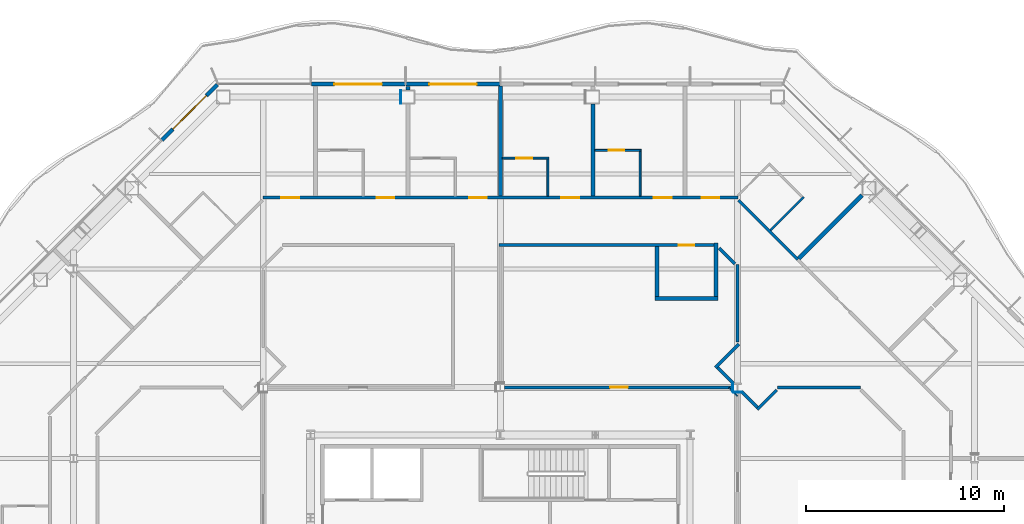
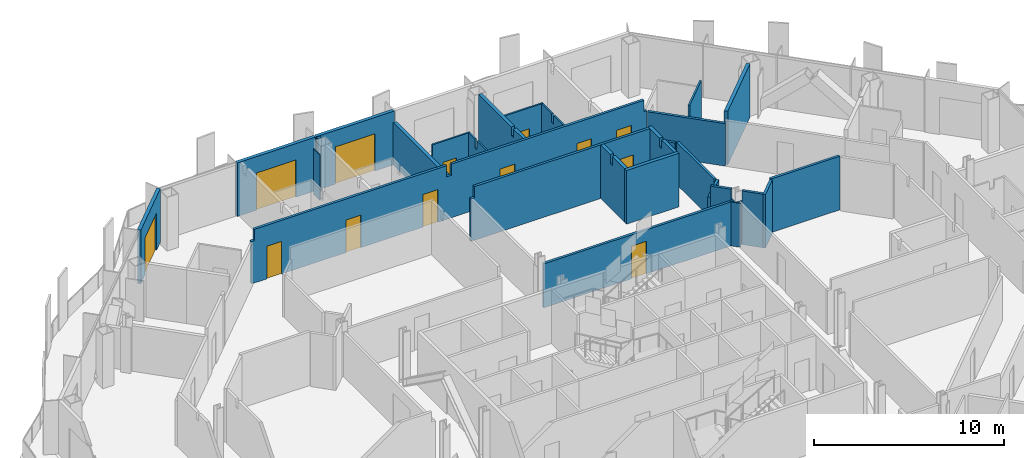
# One storey, part 13 of 21: 30 walls, 13 doors, 13 openings.
"""IFC4 building model written with IfcOpenShell, lengths in metres."""

from ifc_helpers import new_model, si_unit, direction, frame, frame_2d, origin, place, context, subcontext, project, spatial, polyline, rectangle, outline, extrude, material, layer, layer_set, type_object, element, fill, save


model = new_model("IFC4")

# Units and contexts
model_context = context("Model", 3, precision=1e-05, world=origin(), true_north=direction((0.0, 1.0)))
body_context = subcontext(model_context, "Body", "Model", "MODEL_VIEW")
ifc_project = project(units=[si_unit("LENGTHUNIT", "METRE"), si_unit("AREAUNIT", "SQUARE_METRE"), si_unit("VOLUMEUNIT", "CUBIC_METRE"), si_unit("PLANEANGLEUNIT", "RADIAN"), si_unit("MASSUNIT", "GRAM", prefix="KILO")], contexts=[model_context])

# Site, building, storey
site_placement = place(None, origin())
site = spatial("IfcSite", under=ifc_project, at=site_placement, CompositionType="ELEMENT")
building_placement = place(site_placement, origin())
building = spatial("IfcBuilding", under=site, at=building_placement, Name="Cairn Pilgrim Tower", CompositionType="ELEMENT")
storey_placement = place(building_placement, frame((0.0, 0.0, 139.800048828125)))
storey = spatial("IfcBuildingStorey", under=building, at=storey_placement, Name="L34", CompositionType="ELEMENT", Elevation=139.800048828125)

# Wall, opening, door
ifc_material_1 = material(Name="Bronze anodised aluminium insulated sandwich panel with mineral wool fill", Category="aluminium")
ifc_layer_1 = layer(ifc_material_1, 0.199951171875)
ifc_layer_set_1 = layer_set([ifc_layer_1], Name="BRONZE INFILL FRAME WALL 200")
wall_type_1 = type_object("IfcWallType", Name="BRONZE INFILL FRAME WALL 200", PredefinedType="NOTDEFINED", material=ifc_layer_set_1)
wall_1_placement = place(storey_placement, frame((7.169921875, 28.550048828125, 0.0), z_axis=(0.0, 0.0, 1.0), x_axis=(-1.0, 0.0, 0.0)))
wall_1 = element("IfcWall", 1, at=wall_1_placement, inside=storey, type_object=wall_type_1, Name="Bronze infill frame wall IW-N4", PredefinedType="NOTDEFINED", context=body_context, shape_type="SweptSolid", body=[
    extrude(rectangle(XDim=4.739990234375, YDim=0.199951171875, at=frame_2d((2.3701171875, 0.0))), origin(), (0.0, 0.0, 1.0), 3.449951171875),
])
opening_1_placement = place(wall_1_placement, frame((1.169921875, 0.0, 0.0)))
opening_1 = element("IfcOpeningElement", 2, at=opening_1_placement, cuts=wall_1, Name="Opening 3413B", PredefinedType="OPENING", context=body_context, shape_type="SweptSolid", body=[
    extrude(rectangle(XDim=2.39990234375, YDim=2.39990234375, at=frame_2d((1.199951171875, 1.199951171875))), frame((0.0, 0.10986328125, 0.0), z_axis=(0.0, -1.0, 0.0), x_axis=(1.0, 0.0, 0.0)), (0.0, 0.0, 1.0), 0.219970703125),
])
ifc_material_2 = material(Name="Bronze anodised aluminium frame with tinted low-E glass", Category="aluminium")
door_type_1 = type_object("IfcDoorType", Name="BALCONY SLIDING DOOR 2400x2400", OperationType="DOUBLE_DOOR_SLIDING", PredefinedType="DOOR", material=ifc_material_2)
door_1_placement = place(opening_1_placement, origin())
door_1 = element("IfcDoor", 3, at=door_1_placement, inside=storey, type_object=door_type_1, Name="Balcony sliding door 3413B", OperationType="SINGLE_SWING_LEFT", OverallHeight=2.39990234375, OverallWidth=2.39990234375, PredefinedType="DOOR", context=body_context, shape_type="SweptSolid", body=[
    extrude(rectangle(XDim=2.39990234375, YDim=2.39990234375, at=frame_2d((1.199951171875, 1.199951171875))), frame((0.0, 0.02490234375, 0.0), z_axis=(0.0, -1.0, 0.0), x_axis=(1.0, 0.0, 0.0)), (0.0, 0.0, 1.0), 0.050048828125),
])
fill(opening_1, door_1)

wall_2_placement = place(storey_placement, frame((2.3701171875, 28.550048828125, 0.0), z_axis=(0.0, 0.0, 1.0), x_axis=(-1.0, 0.0, 0.0)))
wall_2 = element("IfcWall", 4, at=wall_2_placement, inside=storey, type_object=wall_type_1, Name="Bronze infill frame wall IW-N5", PredefinedType="NOTDEFINED", context=body_context, shape_type="SweptSolid", body=[
    extrude(rectangle(XDim=4.740234375, YDim=0.199951171875, at=frame_2d((2.3701171875, 0.0))), origin(), (0.0, 0.0, 1.0), 3.449951171875),
])
opening_2_placement = place(wall_2_placement, frame((1.169677734375, 0.0, 0.0)))
opening_2 = element("IfcOpeningElement", 5, at=opening_2_placement, cuts=wall_2, Name="Opening 3414B", PredefinedType="OPENING", context=body_context, shape_type="SweptSolid", body=[
    extrude(rectangle(XDim=2.39990234375, YDim=2.39990234375, at=frame_2d((1.199951171875, 1.199951171875))), frame((0.0, 0.10986328125, 0.0), z_axis=(0.0, -1.0, 0.0), x_axis=(1.0, 0.0, 0.0)), (0.0, 0.0, 1.0), 0.219970703125),
])
door_2_placement = place(opening_2_placement, origin())
door_2 = element("IfcDoor", 6, at=door_2_placement, inside=storey, type_object=door_type_1, Name="Balcony sliding door 3414B", OperationType="SINGLE_SWING_LEFT", OverallHeight=2.39990234375, OverallWidth=2.39990234375, PredefinedType="DOOR", context=body_context, shape_type="SweptSolid", body=[
    extrude(rectangle(XDim=2.39990234375, YDim=2.39990234375, at=frame_2d((1.199951171875, 1.199951171875))), frame((0.0, 0.02490234375, 0.0), z_axis=(0.0, -1.0, 0.0), x_axis=(1.0, 0.0, 0.0)), (0.0, 0.0, 1.0), 0.050048828125),
])
fill(opening_2, door_2)

wall_3_placement = place(storey_placement, frame((-7.124755859375, 28.521728515625, 0.0), z_axis=(0.0, 0.0, 1.0), x_axis=(-0.707106781187, -0.707106781187, 0.0)))
wall_3 = element("IfcWall", 7, at=wall_3_placement, inside=storey, type_object=wall_type_1, Name="Bronze infill frame wall IW-NW1", PredefinedType="NOTDEFINED", context=body_context, shape_type="SweptSolid", body=[
    extrude(rectangle(XDim=3.961669921875, YDim=0.199951171875, at=frame_2d((1.98095703125, 0.0))), origin(), (0.0, 0.0, 1.0), 3.449951171875),
])
opening_3_placement = place(wall_3_placement, frame((0.775390625, 0.0, 0.0)))
opening_3 = element("IfcOpeningElement", 8, at=opening_3_placement, cuts=wall_3, Name="Opening 3415B", PredefinedType="OPENING", context=body_context, shape_type="SweptSolid", body=[
    extrude(rectangle(XDim=2.39990234375, YDim=2.39990234375, at=frame_2d((1.199951171875, 1.199951171875))), frame((0.0, 0.10986328125, 0.0), z_axis=(0.0, -1.0, 0.0), x_axis=(1.0, 0.0, 0.0)), (0.0, 0.0, 1.0), 0.219970703125),
])
door_3_placement = place(opening_3_placement, origin())
door_3 = element("IfcDoor", 9, at=door_3_placement, inside=storey, type_object=door_type_1, Name="Balcony sliding door 3415B", OperationType="SINGLE_SWING_LEFT", OverallHeight=2.39990234375, OverallWidth=2.39990234375, PredefinedType="DOOR", context=body_context, shape_type="SweptSolid", body=[
    extrude(rectangle(XDim=2.39990234375, YDim=2.39990234375, at=frame_2d((1.199951171875, 1.199951171875))), frame((0.0, 0.02490234375, 0.0), z_axis=(0.0, -1.0, 0.0), x_axis=(1.0, 0.0, 0.0)), (0.0, 0.0, 1.0), 0.050048828125),
])
fill(opening_3, door_3)

# Walls
ifc_material_3 = material(Name="Gypsum partition")
ifc_layer_2 = layer(ifc_material_3, 0.10009765625)
ifc_layer_set_2 = layer_set([ifc_layer_2], Name="PARTITION 100 DRYWALL")
wall_type_2 = type_object("IfcWallType", Name="PARTITION 100 DRYWALL", PredefinedType="PARTITIONING", material=ifc_layer_set_2)
wall_4_placement = place(storey_placement, frame((20.864990234375, 21.156005859375, 0.0), z_axis=(0.0, 0.0, 1.0), x_axis=(0.707106781187, 0.707106781187, 0.0)))
element("IfcWall", 10, at=wall_4_placement, inside=storey, type_object=wall_type_2, Name="PARTITION W110", PredefinedType="PARTITIONING", context=body_context, shape_type="SweptSolid", body=[
    extrude(rectangle(XDim=2.374755859375, YDim=0.10009765625, at=frame_2d((1.1875, 0.0))), origin(), (0.0, 0.0, 1.0), 3.449951171875),
])
wall_5_placement = place(storey_placement, frame((9.60009765625, 22.875, 0.0), z_axis=(0.0, 0.0, 1.0), x_axis=(0.0, 1.0, 0.0)))
element("IfcWall", 11, at=wall_5_placement, inside=storey, type_object=wall_type_2, Name="PARTITION W121", PredefinedType="PARTITIONING", context=body_context, shape_type="SweptSolid", body=[
    extrude(outline(polyline([(0.0, 0.0), (1.875, 0.0), (1.875, 3.449951171875), (1.22998046875, 3.449951171875), (1.22802734375, 2.8798828125), (1.02001953125, 2.8798828125), (1.01806640625, 3.449951171875), (0.0, 3.449951171875), (0.0, 0.0)])), frame((0.0, 0.050048828125, 0.0), z_axis=(0.0, -1.0, 0.0), x_axis=(1.0, 0.0, 0.0)), (0.0, 0.0, 1.0), 0.10009765625),
])
wall_6_placement = place(storey_placement, frame((14.27587890625, 22.875, 0.0), z_axis=(0.0, 0.0, 1.0), x_axis=(0.0, 1.0, 0.0)))
element("IfcWall", 12, at=wall_6_placement, inside=storey, type_object=wall_type_2, Name="PARTITION W123", PredefinedType="PARTITIONING", context=body_context, shape_type="SweptSolid", body=[
    extrude(outline(polyline([(0.0, 0.0), (2.27490234375, 0.0), (2.27490234375, 3.449951171875), (1.22998046875, 3.449951171875), (1.22802734375, 2.8798828125), (1.02001953125, 2.8798828125), (1.01806640625, 3.449951171875), (0.0, 3.449951171875), (0.0, 0.0)])), frame((0.0, 0.050048828125, 0.0), z_axis=(0.0, -1.0, 0.0), x_axis=(1.0, 0.0, 0.0)), (0.0, 0.0, 1.0), 0.10009765625),
])

# Wall, opening, door
wall_7_placement = place(storey_placement, frame((7.300048828125, 24.800048828125, 0.0), z_axis=(0.0, 0.0, 1.0), x_axis=(1.0, 0.0, 0.0)))
wall_7 = element("IfcWall", 13, at=wall_7_placement, inside=storey, type_object=wall_type_2, Name="PARTITION W127", PredefinedType="PARTITIONING", context=body_context, shape_type="SweptSolid", body=[
    extrude(outline(polyline([(0.0, 0.0), (2.349853515625, 0.0), (2.35009765625, 3.449951171875), (0.050048828125, 3.449951171875), (0.048095703125, 2.72998046875), (0.0, 2.72998046875), (0.0, 0.0)])), frame((0.0, 0.050048828125, 0.0), z_axis=(0.0, -1.0, 0.0), x_axis=(1.0, 0.0, 0.0)), (0.0, 0.0, 1.0), 0.10009765625),
])
opening_4_placement = place(wall_7_placement, frame((0.699951171875, 0.0, 0.0)))
opening_4 = element("IfcOpeningElement", 14, at=opening_4_placement, cuts=wall_7, Name="Opening 3412A", PredefinedType="OPENING", context=body_context, shape_type="SweptSolid", body=[
    extrude(rectangle(XDim=0.800048828125, YDim=2.10009765625, at=frame_2d((0.39990234375, 1.050048828125))), frame((0.0, 0.06005859375, 0.0), z_axis=(0.0, -1.0, 0.0), x_axis=(1.0, 0.0, 0.0)), (0.0, 0.0, 1.0), 0.1201171875),
])
ifc_material_4 = material(Name="Timber door leaf", Category="wood")
door_type_2 = type_object("IfcDoorType", Name="WC DOOR 800x2100", OperationType="NOTDEFINED", PredefinedType="DOOR", material=ifc_material_4)
door_4_placement = place(opening_4_placement, origin())
door_4 = element("IfcDoor", 15, at=door_4_placement, inside=storey, type_object=door_type_2, Name="DOOR 3412A", OperationType="SINGLE_SWING_RIGHT", OverallHeight=2.10009765625, OverallWidth=0.800048828125, PredefinedType="DOOR", context=body_context, shape_type="SweptSolid", body=[
    extrude(rectangle(XDim=0.800048828125, YDim=2.10009765625, at=frame_2d((0.39990234375, 1.050048828125))), frame((0.0, 0.02490234375, 0.0), z_axis=(0.0, -1.0, 0.0), x_axis=(1.0, 0.0, 0.0)), (0.0, 0.0, 1.0), 0.050048828125),
])
fill(opening_4, door_4)

wall_8_placement = place(storey_placement, frame((11.97607421875, 25.199951171875, 0.0), z_axis=(0.0, 0.0, 1.0), x_axis=(1.0, 0.0, 0.0)))
wall_8 = element("IfcWall", 16, at=wall_8_placement, inside=storey, type_object=wall_type_2, Name="PARTITION W129", PredefinedType="PARTITIONING", context=body_context, shape_type="SweptSolid", body=[
    extrude(rectangle(XDim=2.349853515625, YDim=0.10009765625, at=frame_2d((1.1748046875, 0.0))), origin(), (0.0, 0.0, 1.0), 3.449951171875),
])
opening_5_placement = place(wall_8_placement, frame((0.699951171875, 0.0, 0.0)))
opening_5 = element("IfcOpeningElement", 17, at=opening_5_placement, cuts=wall_8, Name="Opening 3411A", PredefinedType="OPENING", context=body_context, shape_type="SweptSolid", body=[
    extrude(rectangle(XDim=0.800048828125, YDim=2.10009765625, at=frame_2d((0.39990234375, 1.050048828125))), frame((0.0, 0.06005859375, 0.0), z_axis=(0.0, -1.0, 0.0), x_axis=(1.0, 0.0, 0.0)), (0.0, 0.0, 1.0), 0.1201171875),
])
door_5_placement = place(opening_5_placement, origin())
door_5 = element("IfcDoor", 18, at=door_5_placement, inside=storey, type_object=door_type_2, Name="DOOR 3411A", OperationType="SINGLE_SWING_RIGHT", OverallHeight=2.10009765625, OverallWidth=0.800048828125, PredefinedType="DOOR", context=body_context, shape_type="SweptSolid", body=[
    extrude(rectangle(XDim=0.800048828125, YDim=2.10009765625, at=frame_2d((0.39990234375, 1.050048828125))), frame((0.0, 0.02490234375, 0.0), z_axis=(0.0, -1.0, 0.0), x_axis=(1.0, 0.0, 0.0)), (0.0, 0.0, 1.0), 0.050048828125),
])
fill(opening_5, door_5)

# Walls
ifc_layer_3 = layer(ifc_material_3, 0.14990234375)
ifc_layer_set_3 = layer_set([ifc_layer_3], Name="PARTITION 150 DRYWALL EI 60")
wall_type_3 = type_object("IfcWallType", Name="PARTITION 150 DRYWALL EI 60", PredefinedType="PARTITIONING", material=ifc_layer_set_3)
wall_9_placement = place(storey_placement, frame((20.2080078125, 12.0859375, 0.0), z_axis=(0.0, 0.0, 1.0), x_axis=(0.706756381459, 0.707457007363, 0.0)))
element("IfcWall", 19, at=wall_9_placement, inside=storey, type_object=wall_type_3, Name="PARTITION W074", PredefinedType="PARTITIONING", context=body_context, shape_type="SweptSolid", body=[
    extrude(rectangle(XDim=1.393798828125, YDim=0.14990234375, at=frame_2d((0.69677734375, 0.0))), origin(), (0.0, 0.0, 1.0), 3.449951171875),
])
wall_10_placement = place(storey_placement, frame((20.2080078125, 12.192138671875, 0.0), z_axis=(0.0, 0.0, 1.0), x_axis=(-0.70721474466, 0.706998801226, 0.0)))
element("IfcWall", 20, at=wall_10_placement, inside=storey, type_object=wall_type_3, Name="PARTITION W076", PredefinedType="PARTITIONING", context=body_context, shape_type="SweptSolid", body=[
    extrude(rectangle(XDim=1.130615234375, YDim=0.14990234375, at=frame_2d((0.5654296875, 0.0))), origin(), (0.0, 0.0, 1.0), 3.449951171875),
])

# Wall, opening, door
wall_11_placement = place(storey_placement, frame((7.404541015625, 13.199951171875, 0.0), z_axis=(0.0, 0.0, 1.0), x_axis=(1.0, 0.0, 0.0)))
wall_11 = element("IfcWall", 21, at=wall_11_placement, inside=storey, type_object=wall_type_3, Name="PARTITION W079", PredefinedType="PARTITIONING", context=body_context, shape_type="SweptSolid", body=[
    extrude(rectangle(XDim=11.591064453125, YDim=0.14990234375, at=frame_2d((5.79541015625, 0.0))), origin(), (0.0, 0.0, 1.0), 2.829833984375),
])
opening_6_placement = place(wall_11_placement, frame((5.345458984375, 0.0, 0.0)))
opening_6 = element("IfcOpeningElement", 22, at=opening_6_placement, cuts=wall_11, Name="Opening 3427", PredefinedType="OPENING", context=body_context, shape_type="SweptSolid", body=[
    extrude(rectangle(XDim=0.89990234375, YDim=2.10009765625, at=frame_2d((0.449951171875, 1.050048828125))), frame((0.0, 0.0849609375, 0.0), z_axis=(0.0, -1.0, 0.0), x_axis=(1.0, 0.0, 0.0)), (0.0, 0.0, 1.0), 0.169921875),
])
door_type_3 = type_object("IfcDoorType", Name="SERVICE DOOR 900x2100 FD30S", OperationType="NOTDEFINED", PredefinedType="DOOR", material=ifc_material_4)
door_6_placement = place(opening_6_placement, origin())
door_6 = element("IfcDoor", 23, at=door_6_placement, inside=storey, type_object=door_type_3, Name="DOOR 3427", OperationType="SINGLE_SWING_LEFT", OverallHeight=2.10009765625, OverallWidth=0.89990234375, PredefinedType="DOOR", context=body_context, shape_type="SweptSolid", body=[
    extrude(rectangle(XDim=0.89990234375, YDim=2.10009765625, at=frame_2d((0.449951171875, 1.050048828125))), frame((0.0, 0.02490234375, 0.0), z_axis=(0.0, -1.0, 0.0), x_axis=(1.0, 0.0, 0.0)), (0.0, 0.0, 1.0), 0.050048828125),
])
fill(opening_6, door_6)

# Walls
wall_12_placement = place(storey_placement, frame((21.215087890625, 13.199951171875, 0.0), z_axis=(0.0, 0.0, 1.0), x_axis=(1.0, 0.0, 0.0)))
element("IfcWall", 24, at=wall_12_placement, inside=storey, type_object=wall_type_3, Name="PARTITION W080", PredefinedType="PARTITIONING", context=body_context, shape_type="SweptSolid", body=[
    extrude(rectangle(XDim=4.2119140625, YDim=0.14990234375, at=frame_2d((2.10595703125, 0.0))), origin(), (0.0, 0.0, 1.0), 3.449951171875),
])
wall_13_placement = place(storey_placement, frame((18.991455078125, 13.408447265625, 0.0), z_axis=(0.0, 0.0, 1.0), x_axis=(-0.706998801226, 0.70721474466, 0.0)))
element("IfcWall", 25, at=wall_13_placement, inside=storey, type_object=wall_type_3, Name="PARTITION W085", PredefinedType="PARTITIONING", context=body_context, shape_type="SweptSolid", body=[
    extrude(rectangle(XDim=1.130615234375, YDim=0.14990234375, at=frame_2d((0.5654296875, 0.0))), origin(), (0.0, 0.0, 1.0), 3.449951171875),
])
wall_14_placement = place(storey_placement, frame((18.0859375, 14.2080078125, 0.0), z_axis=(0.0, 0.0, 1.0), x_axis=(0.70739723372, 0.706816209298, 0.0)))
element("IfcWall", 26, at=wall_14_placement, inside=storey, type_object=wall_type_3, Name="PARTITION W087", PredefinedType="PARTITIONING", context=body_context, shape_type="SweptSolid", body=[
    extrude(rectangle(XDim=1.6806640625, YDim=0.14990234375, at=frame_2d((0.84033203125, 0.0))), origin(), (0.0, 0.0, 1.0), 2.72998046875),
])
wall_15_placement = place(storey_placement, frame((19.199951171875, 15.501953125, 0.0), z_axis=(0.0, 0.0, 1.0), x_axis=(0.0, 1.0, 0.0)))
element("IfcWall", 27, at=wall_15_placement, inside=storey, type_object=wall_type_3, Name="PARTITION W093", PredefinedType="PARTITIONING", context=body_context, shape_type="SweptSolid", body=[
    extrude(rectangle(XDim=3.925048828125, YDim=0.14990234375, at=frame_2d((1.96240234375, 0.0))), origin(), (0.0, 0.0, 1.0), 2.72998046875),
])
wall_16_placement = place(storey_placement, frame((19.072021484375, 19.448974609375, 0.0), z_axis=(0.0, 0.0, 1.0), x_axis=(-0.707106781187, 0.707106781187, 0.0)))
element("IfcWall", 28, at=wall_16_placement, inside=storey, type_object=wall_type_3, Name="PARTITION W104", PredefinedType="PARTITIONING", context=body_context, shape_type="SweptSolid", body=[
    extrude(rectangle(XDim=1.12841796875, YDim=0.14990234375, at=frame_2d((0.564208984375, 0.0))), origin(), (0.0, 0.0, 1.0), 2.72998046875),
])
wall_17_placement = place(storey_placement, frame((22.2451171875, 19.669921875, 0.0), z_axis=(0.0, 0.0, 1.0), x_axis=(-0.707106781187, 0.707106781187, 0.0)))
element("IfcWall", 29, at=wall_17_placement, inside=storey, type_object=wall_type_3, Name="PARTITION W106", PredefinedType="PARTITIONING", context=body_context, shape_type="SweptSolid", body=[
    extrude(rectangle(XDim=4.245849609375, YDim=0.14990234375, at=frame_2d((2.123046875, 0.0))), origin(), (0.0, 0.0, 1.0), 2.72998046875),
])

# Wall, opening, door
wall_18_placement = place(storey_placement, frame((7.125, 20.39990234375, 0.0), z_axis=(0.0, 0.0, 1.0), x_axis=(1.0, 0.0, 0.0)))
wall_18 = element("IfcWall", 30, at=wall_18_placement, inside=storey, type_object=wall_type_3, Name="PARTITION W109", PredefinedType="PARTITIONING", context=body_context, shape_type="SweptSolid", body=[
    extrude(outline(polyline([(0.0, 0.0), (10.89599609375, 0.0), (10.89599609375, 3.449951171875), (0.22509765625, 3.449951171875), (0.222900390625, 2.72998046875), (0.0, 2.72998046875), (0.0, 0.0)])), frame((0.0, 0.074951171875, 0.0), z_axis=(0.0, -1.0, 0.0), x_axis=(1.0, 0.0, 0.0)), (0.0, 0.0, 1.0), 0.14990234375),
])
opening_7_placement = place(wall_18_placement, frame((9.095947265625, 0.0, 0.0)))
opening_7 = element("IfcOpeningElement", 31, at=opening_7_placement, cuts=wall_18, Name="Opening 3423", PredefinedType="OPENING", context=body_context, shape_type="SweptSolid", body=[
    extrude(rectangle(XDim=0.800048828125, YDim=2.10009765625, at=frame_2d((0.39990234375, 1.050048828125))), frame((0.0, 0.0849609375, 0.0), z_axis=(0.0, -1.0, 0.0), x_axis=(1.0, 0.0, 0.0)), (0.0, 0.0, 1.0), 0.169921875),
])
door_type_4 = type_object("IfcDoorType", Name="WC DOOR 800x2100 FD30S", OperationType="NOTDEFINED", PredefinedType="DOOR", material=ifc_material_4)
door_7_placement = place(opening_7_placement, frame((0.800048828125, 0.0, 0.0), z_axis=(0.0, 0.0, 1.0), x_axis=(-1.0, 0.0, 0.0)))
door_7 = element("IfcDoor", 32, at=door_7_placement, inside=storey, type_object=door_type_4, Name="DOOR 3423", OperationType="SINGLE_SWING_LEFT", OverallHeight=2.10009765625, OverallWidth=0.800048828125, PredefinedType="DOOR", context=body_context, shape_type="SweptSolid", body=[
    extrude(rectangle(XDim=0.800048828125, YDim=2.10009765625, at=frame_2d((0.39990234375, 1.050048828125))), frame((0.0, 0.02490234375, 0.0), z_axis=(0.0, -1.0, 0.0), x_axis=(1.0, 0.0, 0.0)), (0.0, 0.0, 1.0), 0.050048828125),
])
fill(opening_7, door_7)

# Wall, openings, doors
wall_19_placement = place(storey_placement, frame((-4.821044921875, 22.800048828125, 0.0), z_axis=(0.0, 0.0, 1.0), x_axis=(1.0, 0.0, 0.0)))
wall_19 = element("IfcWall", 33, at=wall_19_placement, inside=storey, type_object=wall_type_3, Name="PARTITION W114", PredefinedType="PARTITIONING", context=body_context, shape_type="SweptSolid", body=[
    extrude(outline(polyline([(0.0, 0.0), (24.0419921875, 0.0), (24.0419921875, 2.72998046875), (23.87109375, 2.72998046875), (23.869140625, 3.449951171875), (12.171142578125, 3.449951171875), (12.169189453125, 2.72998046875), (11.87109375, 2.72998046875), (11.869140625, 3.449951171875), (0.171142578125, 3.449951171875), (0.169189453125, 2.72998046875), (0.0, 2.72998046875), (0.0, 0.0)])), frame((0.0, 0.074951171875, 0.0), z_axis=(0.0, -1.0, 0.0), x_axis=(1.0, 0.0, 0.0)), (0.0, 0.0, 1.0), 0.14990234375),
])
opening_8_placement = place(wall_19_placement, frame((22.205078125, 0.0, 0.0)))
opening_8 = element("IfcOpeningElement", 34, at=opening_8_placement, cuts=wall_19, Name="Opening 3410", PredefinedType="OPENING", context=body_context, shape_type="SweptSolid", body=[
    extrude(rectangle(XDim=0.89990234375, YDim=2.10009765625, at=frame_2d((0.449951171875, 1.050048828125))), frame((0.0, 0.0849609375, 0.0), z_axis=(0.0, -1.0, 0.0), x_axis=(1.0, 0.0, 0.0)), (0.0, 0.0, 1.0), 0.169921875),
])
opening_9_placement = place(wall_19_placement, frame((19.78515625, 0.0, 0.0)))
opening_9 = element("IfcOpeningElement", 35, at=opening_9_placement, cuts=wall_19, Name="Opening 3411", PredefinedType="OPENING", context=body_context, shape_type="SweptSolid", body=[
    extrude(rectangle(XDim=0.89990234375, YDim=2.10009765625, at=frame_2d((0.449951171875, 1.050048828125))), frame((0.0, 0.0849609375, 0.0), z_axis=(0.0, -1.0, 0.0), x_axis=(1.0, 0.0, 0.0)), (0.0, 0.0, 1.0), 0.169921875),
])
opening_10_placement = place(wall_19_placement, frame((15.109130859375, 0.0, 0.0)))
opening_10 = element("IfcOpeningElement", 36, at=opening_10_placement, cuts=wall_19, Name="Opening 3412", PredefinedType="OPENING", context=body_context, shape_type="SweptSolid", body=[
    extrude(rectangle(XDim=0.89990234375, YDim=2.10009765625, at=frame_2d((0.449951171875, 1.050048828125))), frame((0.0, 0.0849609375, 0.0), z_axis=(0.0, -1.0, 0.0), x_axis=(1.0, 0.0, 0.0)), (0.0, 0.0, 1.0), 0.169921875),
])
opening_11_placement = place(wall_19_placement, frame((10.43310546875, 0.0, 0.0)))
opening_11 = element("IfcOpeningElement", 37, at=opening_11_placement, cuts=wall_19, Name="Opening 3413", PredefinedType="OPENING", context=body_context, shape_type="SweptSolid", body=[
    extrude(rectangle(XDim=0.89990234375, YDim=2.10009765625, at=frame_2d((0.449951171875, 1.050048828125))), frame((0.0, 0.0849609375, 0.0), z_axis=(0.0, -1.0, 0.0), x_axis=(1.0, 0.0, 0.0)), (0.0, 0.0, 1.0), 0.169921875),
])
opening_12_placement = place(wall_19_placement, frame((5.757080078125, 0.0, 0.0)))
opening_12 = element("IfcOpeningElement", 38, at=opening_12_placement, cuts=wall_19, Name="Opening 3414", PredefinedType="OPENING", context=body_context, shape_type="SweptSolid", body=[
    extrude(rectangle(XDim=0.89990234375, YDim=2.10009765625, at=frame_2d((0.449951171875, 1.050048828125))), frame((0.0, 0.0849609375, 0.0), z_axis=(0.0, -1.0, 0.0), x_axis=(1.0, 0.0, 0.0)), (0.0, 0.0, 1.0), 0.169921875),
])
opening_13_placement = place(wall_19_placement, frame((0.93798828125, 0.0, 0.0)))
opening_13 = element("IfcOpeningElement", 39, at=opening_13_placement, cuts=wall_19, Name="Opening 3415", PredefinedType="OPENING", context=body_context, shape_type="SweptSolid", body=[
    extrude(rectangle(XDim=0.89990234375, YDim=2.10009765625, at=frame_2d((0.449951171875, 1.050048828125))), frame((0.0, 0.0849609375, 0.0), z_axis=(0.0, -1.0, 0.0), x_axis=(1.0, 0.0, 0.0)), (0.0, 0.0, 1.0), 0.169921875),
])
door_type_5 = type_object("IfcDoorType", Name="ROOM DOOR 900x2100 FD30S", OperationType="NOTDEFINED", PredefinedType="DOOR", material=ifc_material_4)
door_8_placement = place(opening_8_placement, origin())
door_8 = element("IfcDoor", 40, at=door_8_placement, inside=storey, type_object=door_type_5, Name="DOOR 3410", OperationType="SINGLE_SWING_RIGHT", OverallHeight=2.10009765625, OverallWidth=0.89990234375, PredefinedType="DOOR", context=body_context, shape_type="SweptSolid", body=[
    extrude(rectangle(XDim=0.89990234375, YDim=2.10009765625, at=frame_2d((0.449951171875, 1.050048828125))), frame((0.0, 0.02490234375, 0.0), z_axis=(0.0, -1.0, 0.0), x_axis=(1.0, 0.0, 0.0)), (0.0, 0.0, 1.0), 0.050048828125),
])
fill(opening_8, door_8)
door_9_placement = place(opening_9_placement, origin())
door_9 = element("IfcDoor", 41, at=door_9_placement, inside=storey, type_object=door_type_5, Name="DOOR 3411", OperationType="SINGLE_SWING_RIGHT", OverallHeight=2.10009765625, OverallWidth=0.89990234375, PredefinedType="DOOR", context=body_context, shape_type="SweptSolid", body=[
    extrude(rectangle(XDim=0.89990234375, YDim=2.10009765625, at=frame_2d((0.449951171875, 1.050048828125))), frame((0.0, 0.02490234375, 0.0), z_axis=(0.0, -1.0, 0.0), x_axis=(1.0, 0.0, 0.0)), (0.0, 0.0, 1.0), 0.050048828125),
])
fill(opening_9, door_9)
door_10_placement = place(opening_10_placement, origin())
door_10 = element("IfcDoor", 42, at=door_10_placement, inside=storey, type_object=door_type_5, Name="DOOR 3412", OperationType="SINGLE_SWING_RIGHT", OverallHeight=2.10009765625, OverallWidth=0.89990234375, PredefinedType="DOOR", context=body_context, shape_type="SweptSolid", body=[
    extrude(rectangle(XDim=0.89990234375, YDim=2.10009765625, at=frame_2d((0.449951171875, 1.050048828125))), frame((0.0, 0.02490234375, 0.0), z_axis=(0.0, -1.0, 0.0), x_axis=(1.0, 0.0, 0.0)), (0.0, 0.0, 1.0), 0.050048828125),
])
fill(opening_10, door_10)
door_11_placement = place(opening_11_placement, origin())
door_11 = element("IfcDoor", 43, at=door_11_placement, inside=storey, type_object=door_type_5, Name="DOOR 3413", OperationType="SINGLE_SWING_RIGHT", OverallHeight=2.10009765625, OverallWidth=0.89990234375, PredefinedType="DOOR", context=body_context, shape_type="SweptSolid", body=[
    extrude(rectangle(XDim=0.89990234375, YDim=2.10009765625, at=frame_2d((0.449951171875, 1.050048828125))), frame((0.0, 0.02490234375, 0.0), z_axis=(0.0, -1.0, 0.0), x_axis=(1.0, 0.0, 0.0)), (0.0, 0.0, 1.0), 0.050048828125),
])
fill(opening_11, door_11)
door_12_placement = place(opening_12_placement, origin())
door_12 = element("IfcDoor", 44, at=door_12_placement, inside=storey, type_object=door_type_5, Name="DOOR 3414", OperationType="SINGLE_SWING_RIGHT", OverallHeight=2.10009765625, OverallWidth=0.89990234375, PredefinedType="DOOR", context=body_context, shape_type="SweptSolid", body=[
    extrude(rectangle(XDim=0.89990234375, YDim=2.10009765625, at=frame_2d((0.449951171875, 1.050048828125))), frame((0.0, 0.02490234375, 0.0), z_axis=(0.0, -1.0, 0.0), x_axis=(1.0, 0.0, 0.0)), (0.0, 0.0, 1.0), 0.050048828125),
])
fill(opening_12, door_12)
door_13_placement = place(opening_13_placement, origin())
door_13 = element("IfcDoor", 45, at=door_13_placement, inside=storey, type_object=door_type_5, Name="DOOR 3415", OperationType="SINGLE_SWING_RIGHT", OverallHeight=2.10009765625, OverallWidth=0.89990234375, PredefinedType="DOOR", context=body_context, shape_type="SweptSolid", body=[
    extrude(rectangle(XDim=0.89990234375, YDim=2.10009765625, at=frame_2d((0.449951171875, 1.050048828125))), frame((0.0, 0.02490234375, 0.0), z_axis=(0.0, -1.0, 0.0), x_axis=(1.0, 0.0, 0.0)), (0.0, 0.0, 1.0), 0.050048828125),
])
fill(opening_13, door_13)

# Walls
ifc_layer_4 = layer(ifc_material_3, 0.050048828125)
ifc_layer_set_4 = layer_set([ifc_layer_4], Name="PARTITION 50 DRYWALL EI 60")
wall_type_4 = type_object("IfcWallType", Name="PARTITION 50 DRYWALL EI 60", PredefinedType="PARTITIONING", material=ifc_layer_set_4)
wall_20_placement = place(storey_placement, frame((18.970458984375, 12.987548828125, 0.0), z_axis=(0.0, 0.0, 1.0), x_axis=(0.0, 1.0, 0.0)))
element("IfcWall", 46, at=wall_20_placement, inside=storey, type_object=wall_type_4, Name="COLUMN CASING WC20", PredefinedType="PARTITIONING", context=body_context, shape_type="SweptSolid", body=[
    extrude(rectangle(XDim=0.425048828125, YDim=0.050048828125, at=frame_2d((0.21240234375, 0.0))), origin(), (0.0, 0.0, 1.0), 2.829833984375),
])
wall_21_placement = place(storey_placement, frame((19.182373046875, 12.765380859375, 0.0), z_axis=(0.0, 0.0, 1.0), x_axis=(-0.707106781187, 0.707106781187, 0.0)))
element("IfcWall", 47, at=wall_21_placement, inside=storey, type_object=wall_type_4, Name="COLUMN CASING WC25", PredefinedType="PARTITIONING", context=body_context, shape_type="SweptSolid", body=[
    extrude(rectangle(XDim=0.589599609375, YDim=0.050048828125, at=frame_2d((0.294921875, 0.0))), origin(), (0.0, 0.0, 1.0), 2.829833984375),
])
wall_22_placement = place(storey_placement, frame((18.99560546875, 12.96240234375, 0.0), z_axis=(0.0, 0.0, 1.0), x_axis=(1.0, 0.0, 0.0)))
element("IfcWall", 48, at=wall_22_placement, inside=storey, type_object=wall_type_4, Name="COLUMN CASING WC28", PredefinedType="PARTITIONING", context=body_context, shape_type="SweptSolid", body=[
    extrude(rectangle(XDim=0.408935546875, YDim=0.050048828125, at=frame_2d((0.20458984375, 0.0))), origin(), (0.0, 0.0, 1.0), 2.829833984375),
])
wall_23_placement = place(storey_placement, frame((2.1494140625, 27.550048828125, 0.0), z_axis=(0.0, 0.0, 1.0), x_axis=(0.0, 1.0, 0.0)))
element("IfcWall", 49, at=wall_23_placement, inside=storey, type_object=wall_type_4, Name="COLUMN CASING WC37", PredefinedType="PARTITIONING", context=body_context, shape_type="SweptSolid", body=[
    extrude(rectangle(XDim=0.699951171875, YDim=0.050048828125, at=frame_2d((0.35009765625, 0.0))), origin(), (0.0, 0.0, 1.0), 2.929931640625),
])
ifc_layer_5 = layer(ifc_material_3, 0.199951171875)
ifc_layer_set_5 = layer_set([ifc_layer_5], Name="SHAFT WALL 200 GYPSUM EI 60")
wall_type_5 = type_object("IfcWallType", Name="SHAFT WALL 200 GYPSUM EI 60", PredefinedType="PARTITIONING", material=ifc_layer_set_5)
wall_24_placement = place(storey_placement, frame((15.02099609375, 17.699951171875, 0.0), z_axis=(0.0, 0.0, 1.0), x_axis=(1.0, 0.0, 0.0)))
element("IfcWall", 50, at=wall_24_placement, inside=storey, type_object=wall_type_5, Name="PARTITION W097", PredefinedType="PARTITIONING", context=body_context, shape_type="SweptSolid", body=[
    extrude(rectangle(XDim=3.199951171875, YDim=0.199951171875, at=frame_2d((1.60009765625, 0.0))), origin(), (0.0, 0.0, 1.0), 3.449951171875),
])
wall_25_placement = place(storey_placement, frame((15.12109375, 17.800048828125, 0.0), z_axis=(0.0, 0.0, 1.0), x_axis=(0.0, 1.0, 0.0)))
element("IfcWall", 51, at=wall_25_placement, inside=storey, type_object=wall_type_5, Name="PARTITION W098", PredefinedType="PARTITIONING", context=body_context, shape_type="SweptSolid", body=[
    extrude(outline(polyline([(0.0, 0.0), (2.52490234375, 0.0), (2.52490234375, 3.449951171875), (1.5048828125, 3.449951171875), (1.5029296875, 2.8798828125), (1.294921875, 2.8798828125), (1.29296875, 3.449951171875), (0.0, 3.449951171875), (0.0, 0.0)])), frame((0.0, 0.10009765625, 0.0), z_axis=(0.0, -1.0, 0.0), x_axis=(1.0, 0.0, 0.0)), (0.0, 0.0, 1.0), 0.199951171875),
])
wall_26_placement = place(storey_placement, frame((18.12109375, 17.800048828125, 0.0), z_axis=(0.0, 0.0, 1.0), x_axis=(0.0, 1.0, 0.0)))
element("IfcWall", 52, at=wall_26_placement, inside=storey, type_object=wall_type_5, Name="PARTITION W099", PredefinedType="PARTITIONING", context=body_context, shape_type="SweptSolid", body=[
    extrude(outline(polyline([(0.0, 0.0), (2.71630859375, 0.0), (2.71630859375, 3.449951171875), (1.5048828125, 3.449951171875), (1.5029296875, 2.8798828125), (1.294921875, 2.8798828125), (1.29296875, 3.449951171875), (0.0, 3.449951171875), (0.0, 0.0)])), frame((0.0, 0.10009765625, 0.0), z_axis=(0.0, -1.0, 0.0), x_axis=(1.0, 0.0, 0.0)), (0.0, 0.0, 1.0), 0.199951171875),
])
wall_27_placement = place(storey_placement, frame((22.298095703125, 19.722900390625, 0.0), z_axis=(0.0, 0.0, 1.0), x_axis=(0.707160674466, 0.707052883799, 0.0)))
element("IfcWall", 53, at=wall_27_placement, inside=storey, type_object=wall_type_5, Name="PARTITION W107", PredefinedType="PARTITIONING", context=body_context, shape_type="SweptSolid", body=[
    extrude(rectangle(XDim=4.52978515625, YDim=0.199951171875, at=frame_2d((2.264892578125, 0.0))), origin(), (0.0, 0.0, 1.0), 3.449951171875),
])
wall_28_placement = place(storey_placement, frame((7.199951171875, 22.875, 0.0), z_axis=(0.0, 0.0, 1.0), x_axis=(0.0, 1.0, 0.0)))
element("IfcWall", 54, at=wall_28_placement, inside=storey, type_object=wall_type_5, Name="PARTITION W120", PredefinedType="PARTITIONING", context=body_context, shape_type="SweptSolid", body=[
    extrude(rectangle(XDim=5.574951171875, YDim=0.199951171875, at=frame_2d((2.78759765625, 0.0))), origin(), (0.0, 0.0, 1.0), 2.72998046875),
])
wall_29_placement = place(storey_placement, frame((11.8759765625, 22.875, 0.0), z_axis=(0.0, 0.0, 1.0), x_axis=(0.0, 1.0, 0.0)))
element("IfcWall", 55, at=wall_29_placement, inside=storey, type_object=wall_type_5, Name="PARTITION W122", PredefinedType="PARTITIONING", context=body_context, shape_type="SweptSolid", body=[
    extrude(outline(polyline([(0.0, 0.0), (4.675048828125, 0.0), (4.675048828125, 3.449951171875), (1.22998046875, 3.449951171875), (1.22802734375, 2.8798828125), (1.02001953125, 2.8798828125), (1.01806640625, 3.449951171875), (0.0, 3.449951171875), (0.0, 0.0)])), frame((0.0, 0.10009765625, 0.0), z_axis=(0.0, -1.0, 0.0), x_axis=(1.0, 0.0, 0.0)), (0.0, 0.0, 1.0), 0.199951171875),
])
wall_30_placement = place(storey_placement, frame((2.52392578125, 28.25, 0.0), z_axis=(0.0, 0.0, 1.0), x_axis=(0.0, 1.0, 0.0)))
element("IfcWall", 56, at=wall_30_placement, inside=storey, type_object=wall_type_5, Name="PARTITION W130", PredefinedType="PARTITIONING", context=body_context, shape_type="SweptSolid", body=[
    extrude(rectangle(XDim=0.169921875, YDim=0.199951171875, at=frame_2d((0.0849609375, 0.0))), origin(), (0.0, 0.0, 1.0), 3.449951171875),
])

save(model, "model.ifc")
